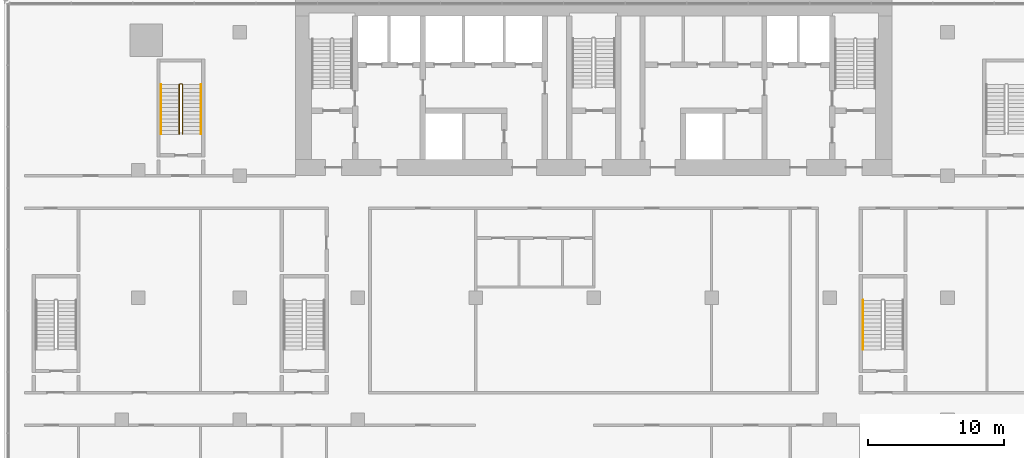
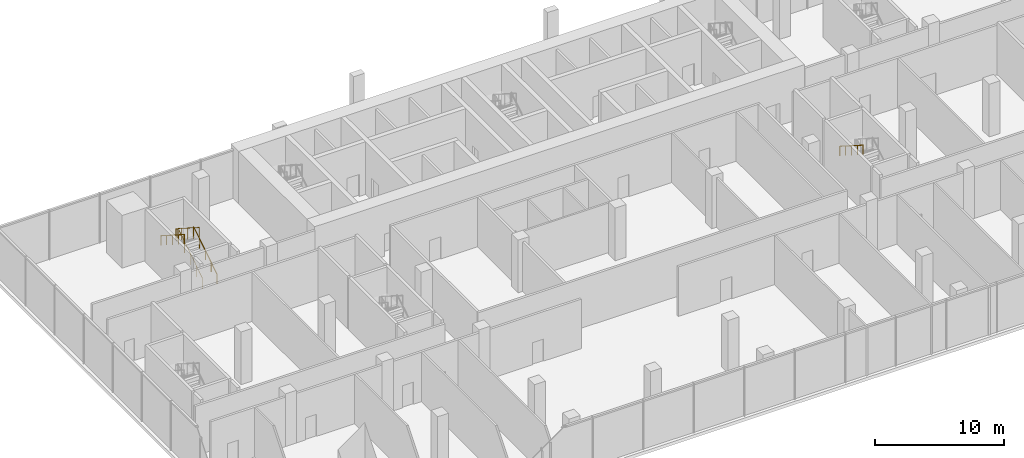
# One storey, part 18 of 20: 4 railings.
"""IFC4 building model written with IfcOpenShell, lengths in metres."""

from ifc_helpers import new_model, si_unit, direction, frame, origin, origin_2d, place, context, subcontext, project, spatial, circle, extrude, material, type_object, element, save


model = new_model("IFC4")

# Units and contexts
model_context = context("Model", 3, precision=1e-05, world=origin(), true_north=direction((0.0, 1.0)))
body_context = subcontext(model_context, "Body", "Model", "MODEL_VIEW")
ifc_project = project(units=[si_unit("LENGTHUNIT", "METRE"), si_unit("AREAUNIT", "SQUARE_METRE"), si_unit("VOLUMEUNIT", "CUBIC_METRE"), si_unit("PLANEANGLEUNIT", "RADIAN"), si_unit("MASSUNIT", "GRAM", prefix="KILO")], contexts=[model_context])

# Site, building, storey
site_placement = place(None, origin())
site = spatial("IfcSite", under=ifc_project, at=site_placement, CompositionType="ELEMENT")
building_placement = place(site_placement, origin())
building = spatial("IfcBuilding", under=site, at=building_placement, Name="Bicima Exchange Tower", CompositionType="ELEMENT")
storey_placement = place(building_placement, frame((0.0, 0.0, 25.0)))
storey = spatial("IfcBuildingStorey", under=building, at=storey_placement, Name="L04", CompositionType="ELEMENT", Elevation=25.0)

# Railings
ifc_material = material(Name="Stainless steel", Category="steel")
railing_type_1 = type_object("IfcRailingType", Name="Stair guard 1100", PredefinedType="GUARDRAIL", material=ifc_material)
railing_1_placement = place(storey_placement, frame((-30.324951171875, -9.925048828125, 0.178466796875)))
element("IfcRailing", 1, at=railing_1_placement, inside=storey, type_object=railing_type_1, Name="L04 ST-WW stair guard 1", PredefinedType="GUARDRAIL", context=body_context, shape_type="SweptSolid", body=[
    extrude(circle(Radius=0.02392578125, at=origin_2d()), frame((0.0, 0.0, 1.076171875), z_axis=(0.0, 0.843127859045, 0.537713132908), x_axis=(-1.0, 0.0, 0.0)), (0.0, 0.0, 1.0), 4.3173828125),
    extrude(circle(Radius=0.02392578125, at=origin_2d()), frame((0.0, 3.64013671875, 3.3974609375), z_axis=(-0.708833529934, 0.705375805398, 0.0), x_axis=(-0.705375805398, -0.708833529934, 0.0)), (0.0, 0.0, 1.0), 0.070556640625),
    extrude(circle(Radius=0.02392578125, at=origin_2d()), frame((-0.050048828125, 3.68994140625, 3.3974609375), z_axis=(-1.0, 0.0, 0.0), x_axis=(0.0, -1.0, 0.0)), (0.0, 0.0, 1.0), 0.14990234375),
    extrude(circle(Radius=0.02392578125, at=origin_2d()), frame((-0.199951171875, 3.68994140625, 3.3974609375), z_axis=(-0.26077077684, -0.25949872427, 0.929870428634), x_axis=(0.705375805398, -0.708833529934, 0.0)), (0.0, 0.0, 1.0), 0.19189453125),
    extrude(circle(Radius=0.02392578125, at=origin_2d()), frame((-0.25, 3.64013671875, 3.576171875), z_axis=(0.0, -0.843127859045, 0.537713132908), x_axis=(1.0, 0.0, 0.0)), (0.0, 0.0, 1.0), 4.3173828125),
    extrude(circle(Radius=0.02099609375, at=origin_2d()), origin(), (0.0, 0.0, 1.0), 1.052001953125),
    extrude(circle(Radius=0.02099609375, at=origin_2d()), frame((0.0, 0.91015625, 0.580322265625)), (0.0, 0.0, 1.0), 1.052001953125),
    extrude(circle(Radius=0.02099609375, at=origin_2d()), frame((0.0, 1.820068359375, 1.16064453125)), (0.0, 0.0, 1.0), 1.052001953125),
    extrude(circle(Radius=0.02099609375, at=origin_2d()), frame((0.0, 2.72998046875, 1.7412109375)), (0.0, 0.0, 1.0), 1.052001953125),
    extrude(circle(Radius=0.02099609375, at=origin_2d()), frame((0.0, 3.64013671875, 2.321533203125)), (0.0, 0.0, 1.0), 1.052001953125),
    extrude(circle(Radius=0.02099609375, at=origin_2d()), frame((-0.050048828125, 3.68994140625, 2.321533203125)), (0.0, 0.0, 1.0), 1.052001953125),
    extrude(circle(Radius=0.02099609375, at=origin_2d()), frame((-0.199951171875, 3.68994140625, 2.321533203125)), (0.0, 0.0, 1.0), 1.052001953125),
    extrude(circle(Radius=0.02099609375, at=origin_2d()), frame((-0.25, 3.64013671875, 2.5)), (0.0, 0.0, 1.0), 1.052001953125),
    extrude(circle(Radius=0.02099609375, at=origin_2d()), frame((-0.25, 2.72998046875, 3.080322265625)), (0.0, 0.0, 1.0), 1.052001953125),
    extrude(circle(Radius=0.02099609375, at=origin_2d()), frame((-0.25, 1.820068359375, 3.66064453125)), (0.0, 0.0, 1.0), 1.052001953125),
    extrude(circle(Radius=0.02099609375, at=origin_2d()), frame((-0.25, 0.91015625, 4.2412109375)), (0.0, 0.0, 1.0), 1.052001953125),
    extrude(circle(Radius=0.02099609375, at=origin_2d()), frame((-0.25, 0.0, 4.821533203125)), (0.0, 0.0, 1.0), 1.052001953125),
])
railing_type_2 = type_object("IfcRailingType", Name="Stair handrail 900", PredefinedType="HANDRAIL", material=ifc_material)
railing_2_placement = place(storey_placement, frame((-28.97509765625, -9.925048828125, 0.178466796875)))
element("IfcRailing", 2, at=railing_2_placement, inside=storey, type_object=railing_type_2, Name="L04 ST-WW stair handrail 1", PredefinedType="HANDRAIL", context=body_context, shape_type="SweptSolid", body=[
    extrude(circle(Radius=0.02392578125, at=origin_2d()), frame((0.0, 0.0, 0.8759765625), z_axis=(0.0, 0.843127859045, 0.537713132908), x_axis=(-1.0, 0.0, 0.0)), (0.0, 0.0, 1.0), 4.3173828125),
    extrude(circle(Radius=0.02099609375, at=origin_2d()), origin(), (0.0, 0.0, 1.0), 0.851806640625),
    extrude(circle(Radius=0.02099609375, at=origin_2d()), frame((0.0, 0.91015625, 0.580322265625)), (0.0, 0.0, 1.0), 0.851806640625),
    extrude(circle(Radius=0.02099609375, at=origin_2d()), frame((0.0, 1.820068359375, 1.16064453125)), (0.0, 0.0, 1.0), 0.851806640625),
    extrude(circle(Radius=0.02099609375, at=origin_2d()), frame((0.0, 2.72998046875, 1.7412109375)), (0.0, 0.0, 1.0), 0.851806640625),
    extrude(circle(Radius=0.02099609375, at=origin_2d()), frame((0.0, 3.64013671875, 2.321533203125)), (0.0, 0.0, 1.0), 0.851806640625),
])
railing_3_placement = place(storey_placement, frame((-31.925048828125, -6.284912109375, 2.678466796875)))
element("IfcRailing", 3, at=railing_3_placement, inside=storey, type_object=railing_type_2, Name="L04 ST-WW stair handrail 2", PredefinedType="HANDRAIL", context=body_context, shape_type="SweptSolid", body=[
    extrude(circle(Radius=0.02392578125, at=origin_2d()), frame((0.0, 0.0, 0.8759765625), z_axis=(0.0, -0.843127859045, 0.537713132908), x_axis=(1.0, 0.0, 0.0)), (0.0, 0.0, 1.0), 4.3173828125),
    extrude(circle(Radius=0.02099609375, at=origin_2d()), origin(), (0.0, 0.0, 1.0), 0.851806640625),
    extrude(circle(Radius=0.02099609375, at=origin_2d()), frame((0.0, -0.91015625, 0.580322265625)), (0.0, 0.0, 1.0), 0.851806640625),
    extrude(circle(Radius=0.02099609375, at=origin_2d()), frame((0.0, -1.820068359375, 1.16064453125)), (0.0, 0.0, 1.0), 0.851806640625),
    extrude(circle(Radius=0.02099609375, at=origin_2d()), frame((0.0, -2.72998046875, 1.7412109375)), (0.0, 0.0, 1.0), 0.851806640625),
    extrude(circle(Radius=0.02099609375, at=origin_2d()), frame((0.0, -3.64013671875, 2.321533203125)), (0.0, 0.0, 1.0), 0.851806640625),
])
railing_4_placement = place(storey_placement, frame((19.875, -22.18505859375, 2.678466796875)))
element("IfcRailing", 4, at=railing_4_placement, inside=storey, type_object=railing_type_2, Name="L04 PS-EI stair handrail 2", PredefinedType="HANDRAIL", context=body_context, shape_type="SweptSolid", body=[
    extrude(circle(Radius=0.02392578125, at=origin_2d()), frame((0.0, 0.0, 0.8759765625), z_axis=(0.0, -0.843111507901, 0.53773877045), x_axis=(1.0, 0.0, 0.0)), (0.0, 0.0, 1.0), 4.317138671875),
    extrude(circle(Radius=0.02099609375, at=origin_2d()), origin(), (0.0, 0.0, 1.0), 0.851806640625),
    extrude(circle(Radius=0.02099609375, at=origin_2d()), frame((0.0, -0.909912109375, 0.580322265625)), (0.0, 0.0, 1.0), 0.851806640625),
    extrude(circle(Radius=0.02099609375, at=origin_2d()), frame((0.0, -1.81982421875, 1.16064453125)), (0.0, 0.0, 1.0), 0.851806640625),
    extrude(circle(Radius=0.02099609375, at=origin_2d()), frame((0.0, -2.72998046875, 1.7412109375)), (0.0, 0.0, 1.0), 0.851806640625),
    extrude(circle(Radius=0.02099609375, at=origin_2d()), frame((0.0, -3.639892578125, 2.321533203125)), (0.0, 0.0, 1.0), 0.851806640625),
])

save(model, "model.ifc")
